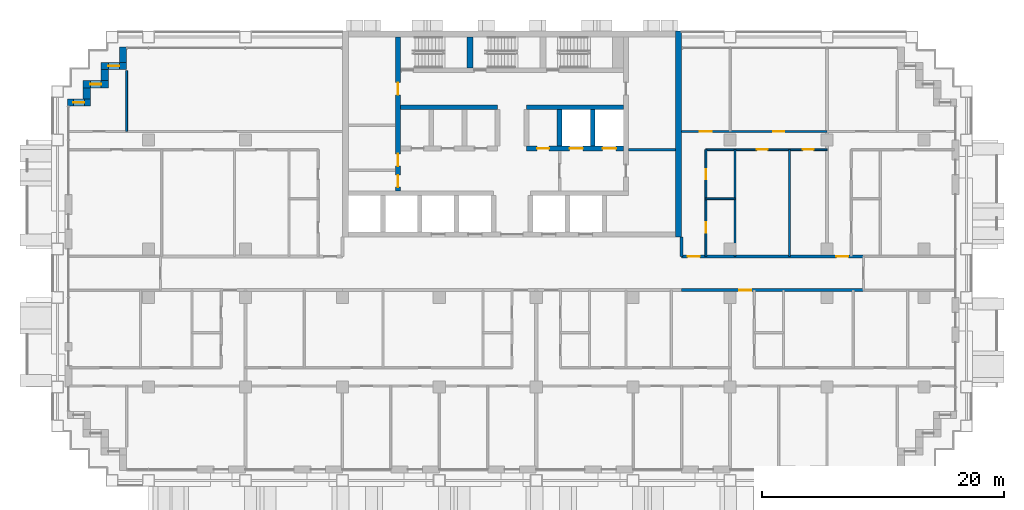
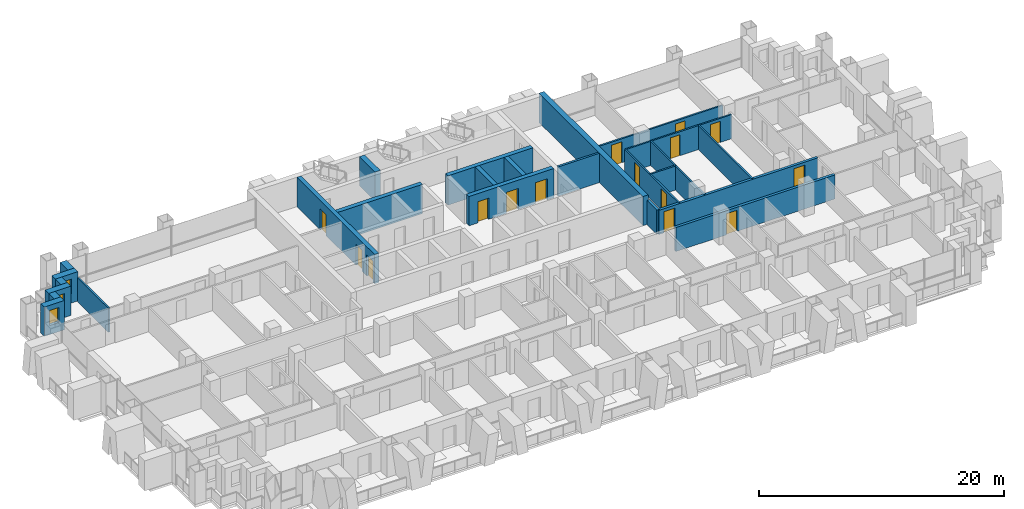
# One storey, part 12 of 18: 25 walls, 15 doors, 3 windows, 18 openings.
"""IFC4 building model written with IfcOpenShell, lengths in metres."""

from ifc_helpers import new_model, si_unit, direction, frame, frame_2d, origin, place, context, subcontext, project, spatial, rectangle, extrude, material, layer, layer_set, type_object, element, fill, save


model = new_model("IFC4")

# Units and contexts
model_context = context("Model", 3, precision=1e-05, world=origin(), true_north=direction((0.0, 1.0)))
body_context = subcontext(model_context, "Body", "Model", "MODEL_VIEW")
ifc_project = project(units=[si_unit("LENGTHUNIT", "METRE"), si_unit("AREAUNIT", "SQUARE_METRE"), si_unit("VOLUMEUNIT", "CUBIC_METRE"), si_unit("PLANEANGLEUNIT", "RADIAN"), si_unit("MASSUNIT", "GRAM", prefix="KILO")], contexts=[model_context])

# Site, building, storey
site_placement = place(None, origin())
site = spatial("IfcSite", under=ifc_project, at=site_placement, CompositionType="ELEMENT")
building_placement = place(site_placement, origin())
building = spatial("IfcBuilding", under=site, at=building_placement, Name="Vidyagriha Tower", CompositionType="ELEMENT")
storey_placement = place(building_placement, frame((0.0, 0.0, 44.800048828125)))
storey = spatial("IfcBuildingStorey", under=building, at=storey_placement, Name="L11", CompositionType="ELEMENT", Elevation=44.800048828125)

# Wall
ifc_material_1 = material(Name="Precast concrete C40/50 with brick facing", Category="concrete")
ifc_layer_1 = layer(ifc_material_1, 0.60009765625)
ifc_layer_set_1 = layer_set([ifc_layer_1], Name="Precast concrete C40/50 with brick facing")
wall_type_1 = type_object("IfcWallType", Name="Brick-faced precast wall 600", PredefinedType="STANDARD", material=ifc_layer_set_1)
wall_1_placement = place(storey_placement, frame((-32.10009765625, 18.679931640625, 0.0), z_axis=(0.0, 0.0, 1.0), x_axis=(0.0, -1.0, 0.0)))
element("IfcWall", 1, at=wall_1_placement, inside=storey, type_object=wall_type_1, Name="Stepped corner wall L11 R10", PredefinedType="STANDARD", context=body_context, shape_type="SweptSolid", body=[
    extrude(rectangle(XDim=1.280029296875, YDim=0.60009765625, at=frame_2d((0.64013671875, 0.0))), origin(), (0.0, 0.0, 1.0), 2.919921875),
])

# Wall, opening, window
wall_2_placement = place(storey_placement, frame((-31.800048828125, 17.10009765625, 0.0), z_axis=(0.0, 0.0, 1.0), x_axis=(-1.0, 0.0, 0.0)))
wall_2 = element("IfcWall", 2, at=wall_2_placement, inside=storey, type_object=wall_type_1, Name="Stepped corner wall L11 R11", PredefinedType="STANDARD", context=body_context, shape_type="SweptSolid", body=[
    extrude(rectangle(XDim=2.099853515625, YDim=0.60009765625, at=frame_2d((1.0498046875, 0.0))), origin(), (0.0, 0.0, 1.0), 2.919921875),
])
opening_1_placement = place(wall_2_placement, frame((0.60009765625, 0.0, 0.89990234375)))
opening_1 = element("IfcOpeningElement", 3, at=opening_1_placement, cuts=wall_2, Name="Opening WN1", PredefinedType="OPENING", context=body_context, shape_type="SweptSolid", body=[
    extrude(rectangle(XDim=0.89990234375, YDim=1.5, at=frame_2d((0.449951171875, 0.75))), frame((0.0, 0.31005859375, 0.0), z_axis=(0.0, -1.0, 0.0), x_axis=(1.0, 0.0, 0.0)), (0.0, 0.0, 1.0), 0.6201171875),
])
ifc_material_2 = material(Name="Aluminium and glass window", Category="aluminium")
window_type = type_object("IfcWindowType", Name="Reveal window 900x1500", PartitioningType="NOTDEFINED", PredefinedType="WINDOW", material=ifc_material_2)
window_1_placement = place(opening_1_placement, origin())
window_1 = element("IfcWindow", 4, at=window_1_placement, inside=storey, type_object=window_type, Name="Reveal window L11 R11", OverallHeight=1.5, OverallWidth=0.89990234375, PartitioningType="SINGLE_PANEL", PredefinedType="WINDOW", context=body_context, shape_type="SweptSolid", body=[
    extrude(rectangle(XDim=0.89990234375, YDim=1.5, at=frame_2d((0.449951171875, 0.75))), frame((0.0, 0.030029296875, 0.0), z_axis=(0.0, -1.0, 0.0), x_axis=(1.0, 0.0, 0.0)), (0.0, 0.0, 1.0), 0.06005859375),
])
fill(opening_1, window_1)

# Wall
wall_3_placement = place(storey_placement, frame((-33.60009765625, 16.800048828125, 0.0), z_axis=(0.0, 0.0, 1.0), x_axis=(0.0, -1.0, 0.0)))
element("IfcWall", 5, at=wall_3_placement, inside=storey, type_object=wall_type_1, Name="Stepped corner wall L11 R12", PredefinedType="STANDARD", context=body_context, shape_type="SweptSolid", body=[
    extrude(rectangle(XDim=0.900146484375, YDim=0.60009765625, at=frame_2d((0.4501953125, 0.0))), origin(), (0.0, 0.0, 1.0), 2.919921875),
])

# Wall, opening, window
wall_4_placement = place(storey_placement, frame((-33.300048828125, 15.60009765625, 0.0), z_axis=(0.0, 0.0, 1.0), x_axis=(-1.0, 0.0, 0.0)))
wall_4 = element("IfcWall", 6, at=wall_4_placement, inside=storey, type_object=wall_type_1, Name="Stepped corner wall L11 R13", PredefinedType="STANDARD", context=body_context, shape_type="SweptSolid", body=[
    extrude(rectangle(XDim=2.099853515625, YDim=0.60009765625, at=frame_2d((1.0498046875, 0.0))), origin(), (0.0, 0.0, 1.0), 2.919921875),
])
opening_2_placement = place(wall_4_placement, frame((0.60009765625, 0.0, 0.89990234375)))
opening_2 = element("IfcOpeningElement", 7, at=opening_2_placement, cuts=wall_4, Name="Opening WN1", PredefinedType="OPENING", context=body_context, shape_type="SweptSolid", body=[
    extrude(rectangle(XDim=0.89990234375, YDim=1.5, at=frame_2d((0.449951171875, 0.75))), frame((0.0, 0.31005859375, 0.0), z_axis=(0.0, -1.0, 0.0), x_axis=(1.0, 0.0, 0.0)), (0.0, 0.0, 1.0), 0.6201171875),
])
window_2_placement = place(opening_2_placement, origin())
window_2 = element("IfcWindow", 8, at=window_2_placement, inside=storey, type_object=window_type, Name="Reveal window L11 R13", OverallHeight=1.5, OverallWidth=0.89990234375, PartitioningType="SINGLE_PANEL", PredefinedType="WINDOW", context=body_context, shape_type="SweptSolid", body=[
    extrude(rectangle(XDim=0.89990234375, YDim=1.5, at=frame_2d((0.449951171875, 0.75))), frame((0.0, 0.030029296875, 0.0), z_axis=(0.0, -1.0, 0.0), x_axis=(1.0, 0.0, 0.0)), (0.0, 0.0, 1.0), 0.06005859375),
])
fill(opening_2, window_2)

# Wall
wall_5_placement = place(storey_placement, frame((-35.10009765625, 15.300048828125, 0.0), z_axis=(0.0, 0.0, 1.0), x_axis=(0.0, -1.0, 0.0)))
element("IfcWall", 9, at=wall_5_placement, inside=storey, type_object=wall_type_1, Name="Stepped corner wall L11 R14", PredefinedType="STANDARD", context=body_context, shape_type="SweptSolid", body=[
    extrude(rectangle(XDim=0.900146484375, YDim=0.60009765625, at=frame_2d((0.4501953125, 0.0))), origin(), (0.0, 0.0, 1.0), 2.919921875),
])

# Wall, opening, window
wall_6_placement = place(storey_placement, frame((-34.800048828125, 14.10009765625, 0.0), z_axis=(0.0, 0.0, 1.0), x_axis=(-1.0, 0.0, 0.0)))
wall_6 = element("IfcWall", 10, at=wall_6_placement, inside=storey, type_object=wall_type_1, Name="Stepped corner wall L11 R15", PredefinedType="STANDARD", context=body_context, shape_type="SweptSolid", body=[
    extrude(rectangle(XDim=1.8798828125, YDim=0.60009765625, at=frame_2d((0.93994140625, 0.0))), origin(), (0.0, 0.0, 1.0), 2.919921875),
])
opening_3_placement = place(wall_6_placement, frame((0.489990234375, 0.0, 0.89990234375)))
opening_3 = element("IfcOpeningElement", 11, at=opening_3_placement, cuts=wall_6, Name="Opening WN1", PredefinedType="OPENING", context=body_context, shape_type="SweptSolid", body=[
    extrude(rectangle(XDim=0.89990234375, YDim=1.5, at=frame_2d((0.449951171875, 0.75))), frame((0.0, 0.31005859375, 0.0), z_axis=(0.0, -1.0, 0.0), x_axis=(1.0, 0.0, 0.0)), (0.0, 0.0, 1.0), 0.6201171875),
])
window_3_placement = place(opening_3_placement, origin())
window_3 = element("IfcWindow", 12, at=window_3_placement, inside=storey, type_object=window_type, Name="Reveal window L11 R15", OverallHeight=1.5, OverallWidth=0.89990234375, PartitioningType="SINGLE_PANEL", PredefinedType="WINDOW", context=body_context, shape_type="SweptSolid", body=[
    extrude(rectangle(XDim=0.89990234375, YDim=1.5, at=frame_2d((0.449951171875, 0.75))), frame((0.0, 0.030029296875, 0.0), z_axis=(0.0, -1.0, 0.0), x_axis=(1.0, 0.0, 0.0)), (0.0, 0.0, 1.0), 0.06005859375),
])
fill(opening_3, window_3)

# Wall, openings, doors
ifc_material_3 = material(Name="Concrete C60/75", Category="concrete")
ifc_layer_2 = layer(ifc_material_3, 0.39990234375)
ifc_layer_set_2 = layer_set([ifc_layer_2], Name="Concrete C60/75")
wall_type_2 = type_object("IfcWallType", Name="Core shear wall 400 mm", PredefinedType="SHEAR", material=ifc_layer_set_2)
wall_7_placement = place(storey_placement, frame((-9.39990234375, 6.800048828125, 0.0), z_axis=(0.0, 0.0, 1.0), x_axis=(0.0, 1.0, 0.0)))
wall_7 = element("IfcWall", 13, at=wall_7_placement, inside=storey, type_object=wall_type_2, Name="Core west spine wall", PredefinedType="SHEAR", context=body_context, shape_type="SweptSolid", body=[
    extrude(rectangle(XDim=12.699951171875, YDim=0.39990234375, at=frame_2d((6.35009765625, 0.0))), origin(), (0.0, 0.0, 1.0), 2.919921875),
])
opening_4_placement = place(wall_7_placement, frame((0.300048828125, 0.0, 0.0)))
opening_4 = element("IfcOpeningElement", 14, at=opening_4_placement, cuts=wall_7, Name="Opening D11-10", PredefinedType="OPENING", context=body_context, shape_type="SweptSolid", body=[
    extrude(rectangle(XDim=1.0, YDim=2.10009765625, at=frame_2d((0.5, 1.050048828125))), frame((0.0, 0.2099609375, 0.0), z_axis=(0.0, -1.0, 0.0), x_axis=(1.0, 0.0, 0.0)), (0.0, 0.0, 1.0), 0.419921875),
])
opening_5_placement = place(wall_7_placement, frame((2.050048828125, 0.0, 0.0)))
opening_5 = element("IfcOpeningElement", 15, at=opening_5_placement, cuts=wall_7, Name="Opening D11-11", PredefinedType="OPENING", context=body_context, shape_type="SweptSolid", body=[
    extrude(rectangle(XDim=1.0, YDim=2.10009765625, at=frame_2d((0.5, 1.050048828125))), frame((0.0, 0.2099609375, 0.0), z_axis=(0.0, -1.0, 0.0), x_axis=(1.0, 0.0, 0.0)), (0.0, 0.0, 1.0), 0.419921875),
])
opening_6_placement = place(wall_7_placement, frame((7.925048828125, 0.0, 0.0)))
opening_6 = element("IfcOpeningElement", 16, at=opening_6_placement, cuts=wall_7, Name="Opening D11-12", PredefinedType="OPENING", context=body_context, shape_type="SweptSolid", body=[
    extrude(rectangle(XDim=1.0, YDim=2.10009765625, at=frame_2d((0.5, 1.050048828125))), frame((0.0, 0.2099609375, 0.0), z_axis=(0.0, -1.0, 0.0), x_axis=(1.0, 0.0, 0.0)), (0.0, 0.0, 1.0), 0.419921875),
])
ifc_material_4 = material(Name="Hollow metal door leaf")
door_type_1 = type_object("IfcDoorType", Name="Core room door 1000 x 2100 mm EI 60", OperationType="NOTDEFINED", PredefinedType="DOOR", material=ifc_material_4)
door_1_placement = place(opening_4_placement, frame((1.0, 0.0, 0.0), z_axis=(0.0, 0.0, 1.0), x_axis=(-1.0, 0.0, 0.0)))
door_1 = element("IfcDoor", 17, at=door_1_placement, inside=storey, type_object=door_type_1, Name="Door Pressurisation Plant Room 11.W1", OperationType="SINGLE_SWING_RIGHT", OverallHeight=2.10009765625, OverallWidth=1.0, PredefinedType="DOOR", context=body_context, shape_type="SweptSolid", body=[
    extrude(rectangle(XDim=1.0, YDim=2.10009765625, at=frame_2d((0.5, 1.050048828125))), frame((0.0, 0.02490234375, 0.0), z_axis=(0.0, -1.0, 0.0), x_axis=(1.0, 0.0, 0.0)), (0.0, 0.0, 1.0), 0.050048828125),
])
fill(opening_4, door_1)
door_2_placement = place(opening_5_placement, frame((1.0, 0.0, 0.0), z_axis=(0.0, 0.0, 1.0), x_axis=(-1.0, 0.0, 0.0)))
door_2 = element("IfcDoor", 18, at=door_2_placement, inside=storey, type_object=door_type_1, Name="Door Switchgear Room 11.W2", OperationType="SINGLE_SWING_LEFT", OverallHeight=2.10009765625, OverallWidth=1.0, PredefinedType="DOOR", context=body_context, shape_type="SweptSolid", body=[
    extrude(rectangle(XDim=1.0, YDim=2.10009765625, at=frame_2d((0.5, 1.050048828125))), frame((0.0, 0.02490234375, 0.0), z_axis=(0.0, -1.0, 0.0), x_axis=(1.0, 0.0, 0.0)), (0.0, 0.0, 1.0), 0.050048828125),
])
fill(opening_5, door_2)
door_3_placement = place(opening_6_placement, frame((1.0, 0.0, 0.0), z_axis=(0.0, 0.0, 1.0), x_axis=(-1.0, 0.0, 0.0)))
door_3 = element("IfcDoor", 19, at=door_3_placement, inside=storey, type_object=door_type_1, Name="Door Communications Room 11.W3", OperationType="SINGLE_SWING_LEFT", OverallHeight=2.10009765625, OverallWidth=1.0, PredefinedType="DOOR", context=body_context, shape_type="SweptSolid", body=[
    extrude(rectangle(XDim=1.0, YDim=2.10009765625, at=frame_2d((0.5, 1.050048828125))), frame((0.0, 0.02490234375, 0.0), z_axis=(0.0, -1.0, 0.0), x_axis=(1.0, 0.0, 0.0)), (0.0, 0.0, 1.0), 0.050048828125),
])
fill(opening_6, door_3)

# Wall
wall_8_placement = place(storey_placement, frame((-9.199951171875, 13.699951171875, 0.0)))
element("IfcWall", 20, at=wall_8_placement, inside=storey, type_object=wall_type_2, Name="Core row N rear wall", PredefinedType="SHEAR", context=body_context, shape_type="SweptSolid", body=[
    extrude(rectangle(XDim=8.0, YDim=0.39990234375, at=frame_2d((4.0, 0.0))), origin(), (0.0, 0.0, 1.0), 2.919921875),
])

# Wall, openings, doors
wall_9_placement = place(storey_placement, frame((1.199951171875, 10.300048828125, 0.0)))
wall_9 = element("IfcWall", 21, at=wall_9_placement, inside=storey, type_object=wall_type_2, Name="Core row N front wall", PredefinedType="SHEAR", context=body_context, shape_type="SweptSolid", body=[
    extrude(rectangle(XDim=8.0, YDim=0.39990234375, at=frame_2d((4.0, 0.0))), origin(), (0.0, 0.0, 1.0), 2.919921875),
])
opening_7_placement = place(wall_9_placement, frame((3.550048828125, 0.0, 0.0)))
opening_7 = element("IfcOpeningElement", 22, at=opening_7_placement, cuts=wall_9, Name="Opening LD11-05", PredefinedType="OPENING", context=body_context, shape_type="SweptSolid", body=[
    extrude(rectangle(XDim=1.10009765625, YDim=2.10009765625, at=frame_2d((0.550048828125, 1.050048828125))), frame((0.0, 0.2099609375, 0.0), z_axis=(0.0, -1.0, 0.0), x_axis=(1.0, 0.0, 0.0)), (0.0, 0.0, 1.0), 0.419921875),
])
opening_8_placement = place(wall_9_placement, frame((6.283203125, 0.0, 0.0)))
opening_8 = element("IfcOpeningElement", 23, at=opening_8_placement, cuts=wall_9, Name="Opening LD11-06", PredefinedType="OPENING", context=body_context, shape_type="SweptSolid", body=[
    extrude(rectangle(XDim=1.10009765625, YDim=2.10009765625, at=frame_2d((0.550048828125, 1.050048828125))), frame((0.0, 0.2099609375, 0.0), z_axis=(0.0, -1.0, 0.0), x_axis=(1.0, 0.0, 0.0)), (0.0, 0.0, 1.0), 0.419921875),
])
opening_9_placement = place(wall_9_placement, frame((0.86669921875, 0.0, 0.0)))
opening_9 = element("IfcOpeningElement", 24, at=opening_9_placement, cuts=wall_9, Name="Opening D11-05", PredefinedType="OPENING", context=body_context, shape_type="SweptSolid", body=[
    extrude(rectangle(XDim=1.0, YDim=2.10009765625, at=frame_2d((0.5, 1.050048828125))), frame((0.0, 0.2099609375, 0.0), z_axis=(0.0, -1.0, 0.0), x_axis=(1.0, 0.0, 0.0)), (0.0, 0.0, 1.0), 0.419921875),
])
door_4_placement = place(opening_9_placement, frame((1.0, 0.0, 0.0), z_axis=(0.0, 0.0, 1.0), x_axis=(-1.0, 0.0, 0.0)))
door_4 = element("IfcDoor", 25, at=door_4_placement, inside=storey, type_object=door_type_1, Name="Door Switchgear Room 11.17", OperationType="SINGLE_SWING_LEFT", OverallHeight=2.10009765625, OverallWidth=1.0, PredefinedType="DOOR", context=body_context, shape_type="SweptSolid", body=[
    extrude(rectangle(XDim=1.0, YDim=2.10009765625, at=frame_2d((0.5, 1.050048828125))), frame((0.0, 0.02490234375, 0.0), z_axis=(0.0, -1.0, 0.0), x_axis=(1.0, 0.0, 0.0)), (0.0, 0.0, 1.0), 0.050048828125),
])
fill(opening_9, door_4)
ifc_material_5 = material(Name="Stainless steel sliding door panel", Category="steel")
door_type_2 = type_object("IfcDoorType", Name="Lift landing door 1100 x 2100 mm EI 90", OperationType="NOTDEFINED", PredefinedType="DOOR", material=ifc_material_5)
door_5_placement = place(opening_7_placement, origin())
door_5 = element("IfcDoor", 26, at=door_5_placement, inside=storey, type_object=door_type_2, Name="Landing door FF1 L11", OperationType="SLIDING_TO_LEFT", OverallHeight=2.10009765625, OverallWidth=1.10009765625, PredefinedType="DOOR", context=body_context, shape_type="SweptSolid", body=[
    extrude(rectangle(XDim=1.10009765625, YDim=2.10009765625, at=frame_2d((0.550048828125, 1.050048828125))), frame((0.0, 0.02490234375, 0.0), z_axis=(0.0, -1.0, 0.0), x_axis=(1.0, 0.0, 0.0)), (0.0, 0.0, 1.0), 0.050048828125),
])
fill(opening_7, door_5)
door_6_placement = place(opening_8_placement, origin())
door_6 = element("IfcDoor", 27, at=door_6_placement, inside=storey, type_object=door_type_2, Name="Landing door FF2 L11", OperationType="SLIDING_TO_LEFT", OverallHeight=2.10009765625, OverallWidth=1.10009765625, PredefinedType="DOOR", context=body_context, shape_type="SweptSolid", body=[
    extrude(rectangle(XDim=1.10009765625, YDim=2.10009765625, at=frame_2d((0.550048828125, 1.050048828125))), frame((0.0, 0.02490234375, 0.0), z_axis=(0.0, -1.0, 0.0), x_axis=(1.0, 0.0, 0.0)), (0.0, 0.0, 1.0), 0.050048828125),
])
fill(opening_8, door_6)

# Walls
wall_10_placement = place(storey_placement, frame((1.199951171875, 13.699951171875, 0.0)))
element("IfcWall", 28, at=wall_10_placement, inside=storey, type_object=wall_type_2, Name="Core row N rear wall", PredefinedType="SHEAR", context=body_context, shape_type="SweptSolid", body=[
    extrude(rectangle(XDim=8.0, YDim=0.39990234375, at=frame_2d((4.0, 0.0))), origin(), (0.0, 0.0, 1.0), 2.919921875),
])
for number, where, z_axis, x_axis, name in (
    (29, (3.933349609375, 10.5, 0.0), (0.0, 0.0, 1.0), (0.0, 1.0, 0.0), "Core bay wall N5"),
    (30, (6.666748046875, 10.5, 0.0), (0.0, 0.0, 1.0), (0.0, 1.0, 0.0), "Core bay wall N6"),
):
    element("IfcWall", number, at=place(storey_placement, frame(where, z_axis=z_axis, x_axis=x_axis)), inside=storey, type_object=wall_type_2, Name=name, PredefinedType="SHEAR", context=body_context, shape_type="SweptSolid", body=[
        extrude(rectangle(XDim=3.0, YDim=0.39990234375, at=frame_2d((1.5, 0.0))), origin(), (0.0, 0.0, 1.0), 2.919921875),
    ])
ifc_material_6 = material(Name="Concrete C60/75", Category="concrete")
ifc_layer_3 = layer(ifc_material_6, 0.5)
ifc_layer_set_3 = layer_set([ifc_layer_3], Name="Concrete C60/75")
wall_type_3 = type_object("IfcWallType", Name="Core shear wall 500 mm", PredefinedType="SHEAR", material=ifc_layer_set_3)
wall_11_placement = place(storey_placement, frame((13.75, 3.0, 0.0), z_axis=(0.0, 0.0, 1.0), x_axis=(0.0, 1.0, 0.0)))
element("IfcWall", 31, at=wall_11_placement, inside=storey, type_object=wall_type_3, Name="Core east wall", PredefinedType="SHEAR", context=body_context, shape_type="SweptSolid", body=[
    extrude(rectangle(XDim=17.0, YDim=0.5, at=frame_2d((8.5, 0.0))), origin(), (0.0, 0.0, 1.0), 2.919921875),
])
wall_12_placement = place(storey_placement, frame((-3.449951171875, 16.949951171875, 0.0), z_axis=(0.0, 0.0, 1.0), x_axis=(0.0, 1.0, 0.0)))
element("IfcWall", 32, at=wall_12_placement, inside=storey, type_object=wall_type_3, Name="Stair partition wall 1", PredefinedType="SHEAR", context=body_context, shape_type="SweptSolid", body=[
    extrude(rectangle(XDim=2.550048828125, YDim=0.5, at=frame_2d((1.27490234375, 0.0))), origin(), (0.0, 0.0, 1.0), 2.919921875),
])

# Wall, opening, door
ifc_material_7 = material(Name="Fired clay brick masonry", Category="masonry")
ifc_layer_4 = layer(ifc_material_7, 0.25)
ifc_layer_set_4 = layer_set([ifc_layer_4], Name="Fired clay brick masonry")
wall_type_4 = type_object("IfcWallType", Name="Fired clay brick corridor wall 250", PredefinedType="PARTITIONING", material=ifc_layer_set_4)
wall_13_placement = place(storey_placement, frame((29.0, -1.39990234375, 0.0), z_axis=(0.0, 0.0, 1.0), x_axis=(-1.0, 0.0, 0.0)))
wall_13 = element("IfcWall", 33, at=wall_13_placement, inside=storey, type_object=wall_type_4, Name="Wall all-L11-w080", PredefinedType="PARTITIONING", context=body_context, shape_type="SweptSolid", body=[
    extrude(rectangle(XDim=15.0, YDim=0.25, at=frame_2d((7.5, 0.0))), origin(), (0.0, 0.0, 1.0), 2.39990234375),
])
opening_10_placement = place(wall_13_placement, frame((9.239990234375, 0.0, 0.0)))
opening_10 = element("IfcOpeningElement", 34, at=opening_10_placement, cuts=wall_13, Name="Opening D11-51", PredefinedType="OPENING", context=body_context, shape_type="SweptSolid", body=[
    extrude(rectangle(XDim=1.0, YDim=2.10009765625, at=frame_2d((0.5, 1.050048828125))), frame((0.0, 0.135009765625, 0.0), z_axis=(0.0, -1.0, 0.0), x_axis=(1.0, 0.0, 0.0)), (0.0, 0.0, 1.0), 0.27001953125),
])
ifc_material_8 = material(Name="Fire-rated timber door leaf EI 60", Category="wood")
door_type_3 = type_object("IfcDoorType", Name="Flat entrance fire door 1000x2100", OperationType="NOTDEFINED", PredefinedType="DOOR", material=ifc_material_8)
door_7_placement = place(opening_10_placement, origin())
door_7 = element("IfcDoor", 35, at=door_7_placement, inside=storey, type_object=door_type_3, Name="Door D11-51", OperationType="SINGLE_SWING_RIGHT", OverallHeight=2.10009765625, OverallWidth=1.0, PredefinedType="DOOR", context=body_context, shape_type="SweptSolid", body=[
    extrude(rectangle(XDim=1.0, YDim=2.10009765625, at=frame_2d((0.5, 1.050048828125))), frame((0.0, 0.02490234375, 0.0), z_axis=(0.0, -1.0, 0.0), x_axis=(1.0, 0.0, 0.0)), (0.0, 0.0, 1.0), 0.050048828125),
])
fill(opening_10, door_7)

# Wall, openings, doors
wall_14_placement = place(storey_placement, frame((14.0, 1.39990234375, 0.0)))
wall_14 = element("IfcWall", 36, at=wall_14_placement, inside=storey, type_object=wall_type_4, Name="Wall all-L11-w127", PredefinedType="PARTITIONING", context=body_context, shape_type="SweptSolid", body=[
    extrude(rectangle(XDim=15.0, YDim=0.25, at=frame_2d((7.5, 0.0))), origin(), (0.0, 0.0, 1.0), 2.39990234375),
])
opening_11_placement = place(wall_14_placement, frame((0.5, 0.0, 0.0)))
opening_11 = element("IfcOpeningElement", 37, at=opening_11_placement, cuts=wall_14, Name="Opening D11-66", PredefinedType="OPENING", context=body_context, shape_type="SweptSolid", body=[
    extrude(rectangle(XDim=1.0, YDim=2.10009765625, at=frame_2d((0.5, 1.050048828125))), frame((0.0, 0.135009765625, 0.0), z_axis=(0.0, -1.0, 0.0), x_axis=(1.0, 0.0, 0.0)), (0.0, 0.0, 1.0), 0.27001953125),
])
opening_12_placement = place(wall_14_placement, frame((12.760009765625, 0.0, 0.0)))
opening_12 = element("IfcOpeningElement", 38, at=opening_12_placement, cuts=wall_14, Name="Opening D11-72", PredefinedType="OPENING", context=body_context, shape_type="SweptSolid", body=[
    extrude(rectangle(XDim=1.0, YDim=2.10009765625, at=frame_2d((0.5, 1.050048828125))), frame((0.0, 0.135009765625, 0.0), z_axis=(0.0, -1.0, 0.0), x_axis=(1.0, 0.0, 0.0)), (0.0, 0.0, 1.0), 0.27001953125),
])
door_8_placement = place(opening_11_placement, origin())
door_8 = element("IfcDoor", 39, at=door_8_placement, inside=storey, type_object=door_type_3, Name="Door D11-66", OperationType="SINGLE_SWING_LEFT", OverallHeight=2.10009765625, OverallWidth=1.0, PredefinedType="DOOR", context=body_context, shape_type="SweptSolid", body=[
    extrude(rectangle(XDim=1.0, YDim=2.10009765625, at=frame_2d((0.5, 1.050048828125))), frame((0.0, 0.02490234375, 0.0), z_axis=(0.0, -1.0, 0.0), x_axis=(1.0, 0.0, 0.0)), (0.0, 0.0, 1.0), 0.050048828125),
])
fill(opening_11, door_8)
door_9_placement = place(opening_12_placement, origin())
door_9 = element("IfcDoor", 40, at=door_9_placement, inside=storey, type_object=door_type_3, Name="Door D11-72", OperationType="SINGLE_SWING_LEFT", OverallHeight=2.10009765625, OverallWidth=1.0, PredefinedType="DOOR", context=body_context, shape_type="SweptSolid", body=[
    extrude(rectangle(XDim=1.0, YDim=2.10009765625, at=frame_2d((0.5, 1.050048828125))), frame((0.0, 0.02490234375, 0.0), z_axis=(0.0, -1.0, 0.0), x_axis=(1.0, 0.0, 0.0)), (0.0, 0.0, 1.0), 0.050048828125),
])
fill(opening_12, door_9)

# Walls
wall_15_placement = place(storey_placement, frame((14.0, 1.39990234375, 0.0), z_axis=(0.0, 0.0, 1.0), x_axis=(0.0, 1.0, 0.0)))
element("IfcWall", 41, at=wall_15_placement, inside=storey, type_object=wall_type_4, Name="Wall all-L11-w135", PredefinedType="PARTITIONING", context=body_context, shape_type="SweptSolid", body=[
    extrude(rectangle(XDim=1.60009765625, YDim=0.25, at=frame_2d((0.800048828125, 0.0))), origin(), (0.0, 0.0, 1.0), 2.39990234375),
])
ifc_material_9 = material(Name="Gypsum board partition")
ifc_layer_5 = layer(ifc_material_9, 0.14990234375)
ifc_layer_set_5 = layer_set([ifc_layer_5], Name="Gypsum board partition")
wall_type_5 = type_object("IfcWallType", Name="Gypsum board partition 150", PredefinedType="PARTITIONING", material=ifc_layer_set_5)
wall_16_placement = place(storey_placement, frame((-31.800048828125, 16.719970703125, 0.0), z_axis=(0.0, 0.0, 1.0), x_axis=(0.0, -1.0, 0.0)))
element("IfcWall", 42, at=wall_16_placement, inside=storey, type_object=wall_type_5, Name="Wall all-L11-w096", PredefinedType="PARTITIONING", context=body_context, shape_type="SweptSolid", body=[
    extrude(rectangle(XDim=5.02001953125, YDim=0.14990234375, at=frame_2d((2.510009765625, 0.0))), origin(), (0.0, 0.0, 1.0), 2.39990234375),
])
wall_17_placement = place(storey_placement, frame((16.0, 6.14990234375, 0.0)))
element("IfcWall", 43, at=wall_17_placement, inside=storey, type_object=wall_type_5, Name="Wall all-L11-w103", PredefinedType="PARTITIONING", context=body_context, shape_type="SweptSolid", body=[
    extrude(rectangle(XDim=2.39990234375, YDim=0.14990234375, at=frame_2d((1.199951171875, 0.0))), origin(), (0.0, 0.0, 1.0), 2.39990234375),
])
for number, where, z_axis, x_axis, name in (
    (44, (18.39990234375, 10.199951171875, 0.0), (0.0, 0.0, 1.0), (0.0, -1.0, 0.0), "Wall all-L11-w104"),
    (45, (22.89990234375, 10.199951171875, 0.0), (0.0, 0.0, 1.0), (0.0, -1.0, 0.0), "Wall all-L11-w105"),
):
    element("IfcWall", number, at=place(storey_placement, frame(where, z_axis=z_axis, x_axis=x_axis)), inside=storey, type_object=wall_type_5, Name=name, PredefinedType="PARTITIONING", context=body_context, shape_type="SweptSolid", body=[
        extrude(rectangle(XDim=8.800048828125, YDim=0.14990234375, at=frame_2d((4.39990234375, 0.0))), origin(), (0.0, 0.0, 1.0), 2.39990234375),
    ])

# Wall, openings, doors
wall_18_placement = place(storey_placement, frame((26.0, 10.199951171875, 0.0), z_axis=(0.0, 0.0, 1.0), x_axis=(-1.0, 0.0, 0.0)))
wall_18 = element("IfcWall", 46, at=wall_18_placement, inside=storey, type_object=wall_type_5, Name="Wall all-L11-w106", PredefinedType="PARTITIONING", context=body_context, shape_type="SweptSolid", body=[
    extrude(rectangle(XDim=10.0, YDim=0.14990234375, at=frame_2d((5.0, 0.0))), origin(), (0.0, 0.0, 1.0), 2.39990234375),
])
opening_13_placement = place(wall_18_placement, frame((4.89990234375, 0.0, 0.0)))
opening_13 = element("IfcOpeningElement", 47, at=opening_13_placement, cuts=wall_18, Name="Opening D11-62", PredefinedType="OPENING", context=body_context, shape_type="SweptSolid", body=[
    extrude(rectangle(XDim=0.89990234375, YDim=2.10009765625, at=frame_2d((0.449951171875, 1.050048828125))), frame((0.0, 0.0849609375, 0.0), z_axis=(0.0, -1.0, 0.0), x_axis=(1.0, 0.0, 0.0)), (0.0, 0.0, 1.0), 0.169921875),
])
opening_14_placement = place(wall_18_placement, frame((1.10009765625, 0.0, 0.0)))
opening_14 = element("IfcOpeningElement", 48, at=opening_14_placement, cuts=wall_18, Name="Opening D11-63", PredefinedType="OPENING", context=body_context, shape_type="SweptSolid", body=[
    extrude(rectangle(XDim=0.89990234375, YDim=2.10009765625, at=frame_2d((0.449951171875, 1.050048828125))), frame((0.0, 0.0849609375, 0.0), z_axis=(0.0, -1.0, 0.0), x_axis=(1.0, 0.0, 0.0)), (0.0, 0.0, 1.0), 0.169921875),
])
ifc_material_10 = material(Name="Timber door leaf", Category="wood")
door_type_4 = type_object("IfcDoorType", Name="Room door 900x2100", OperationType="NOTDEFINED", PredefinedType="DOOR", material=ifc_material_10)
door_10_placement = place(opening_13_placement, origin())
door_10 = element("IfcDoor", 49, at=door_10_placement, inside=storey, type_object=door_type_4, Name="Door D11-62", OperationType="SINGLE_SWING_RIGHT", OverallHeight=2.10009765625, OverallWidth=0.89990234375, PredefinedType="DOOR", context=body_context, shape_type="SweptSolid", body=[
    extrude(rectangle(XDim=0.89990234375, YDim=2.10009765625, at=frame_2d((0.449951171875, 1.050048828125))), frame((0.0, 0.02490234375, 0.0), z_axis=(0.0, -1.0, 0.0), x_axis=(1.0, 0.0, 0.0)), (0.0, 0.0, 1.0), 0.050048828125),
])
fill(opening_13, door_10)
door_11_placement = place(opening_14_placement, origin())
door_11 = element("IfcDoor", 50, at=door_11_placement, inside=storey, type_object=door_type_4, Name="Door D11-63", OperationType="SINGLE_SWING_RIGHT", OverallHeight=2.10009765625, OverallWidth=0.89990234375, PredefinedType="DOOR", context=body_context, shape_type="SweptSolid", body=[
    extrude(rectangle(XDim=0.89990234375, YDim=2.10009765625, at=frame_2d((0.449951171875, 1.050048828125))), frame((0.0, 0.02490234375, 0.0), z_axis=(0.0, -1.0, 0.0), x_axis=(1.0, 0.0, 0.0)), (0.0, 0.0, 1.0), 0.050048828125),
])
fill(opening_14, door_11)

wall_19_placement = place(storey_placement, frame((14.0, 11.699951171875, 0.0)))
wall_19 = element("IfcWall", 51, at=wall_19_placement, inside=storey, type_object=wall_type_5, Name="Wall all-L11-w109", PredefinedType="PARTITIONING", context=body_context, shape_type="SweptSolid", body=[
    extrude(rectangle(XDim=12.0, YDim=0.14990234375, at=frame_2d((6.0, 0.0))), origin(), (0.0, 0.0, 1.0), 2.39990234375),
])
opening_15_placement = place(wall_19_placement, frame((1.5, 0.0, 0.0)))
opening_15 = element("IfcOpeningElement", 52, at=opening_15_placement, cuts=wall_19, Name="Opening D11-64", PredefinedType="OPENING", context=body_context, shape_type="SweptSolid", body=[
    extrude(rectangle(XDim=1.0, YDim=2.10009765625, at=frame_2d((0.5, 1.050048828125))), frame((0.0, 0.0849609375, 0.0), z_axis=(0.0, -1.0, 0.0), x_axis=(1.0, 0.0, 0.0)), (0.0, 0.0, 1.0), 0.169921875),
])
opening_16_placement = place(wall_19_placement, frame((7.550048828125, 0.0, 0.0)))
opening_16 = element("IfcOpeningElement", 53, at=opening_16_placement, cuts=wall_19, Name="Opening D11-65", PredefinedType="OPENING", context=body_context, shape_type="SweptSolid", body=[
    extrude(rectangle(XDim=0.89990234375, YDim=2.10009765625, at=frame_2d((0.449951171875, 1.050048828125))), frame((0.0, 0.0849609375, 0.0), z_axis=(0.0, -1.0, 0.0), x_axis=(1.0, 0.0, 0.0)), (0.0, 0.0, 1.0), 0.169921875),
])
ifc_material_11 = material(Name="Timber door leaf", Category="wood")
door_type_5 = type_object("IfcDoorType", Name="Room door 1000x2100", OperationType="NOTDEFINED", PredefinedType="DOOR", material=ifc_material_11)
door_12_placement = place(opening_15_placement, origin())
door_12 = element("IfcDoor", 54, at=door_12_placement, inside=storey, type_object=door_type_5, Name="Door D11-64", OperationType="SINGLE_SWING_RIGHT", OverallHeight=2.10009765625, OverallWidth=1.0, PredefinedType="DOOR", context=body_context, shape_type="SweptSolid", body=[
    extrude(rectangle(XDim=1.0, YDim=2.10009765625, at=frame_2d((0.5, 1.050048828125))), frame((0.0, 0.02490234375, 0.0), z_axis=(0.0, -1.0, 0.0), x_axis=(1.0, 0.0, 0.0)), (0.0, 0.0, 1.0), 0.050048828125),
])
fill(opening_15, door_12)
door_13_placement = place(opening_16_placement, origin())
door_13 = element("IfcDoor", 55, at=door_13_placement, inside=storey, type_object=door_type_4, Name="Door D11-65", OperationType="SINGLE_SWING_RIGHT", OverallHeight=2.10009765625, OverallWidth=0.89990234375, PredefinedType="DOOR", context=body_context, shape_type="SweptSolid", body=[
    extrude(rectangle(XDim=0.89990234375, YDim=2.10009765625, at=frame_2d((0.449951171875, 1.050048828125))), frame((0.0, 0.02490234375, 0.0), z_axis=(0.0, -1.0, 0.0), x_axis=(1.0, 0.0, 0.0)), (0.0, 0.0, 1.0), 0.050048828125),
])
fill(opening_16, door_13)

ifc_material_12 = material(Name="Moisture resistant gypsum board partition")
ifc_layer_6 = layer(ifc_material_12, 0.14990234375)
ifc_layer_set_6 = layer_set([ifc_layer_6], Name="Moisture resistant gypsum board partition")
wall_type_6 = type_object("IfcWallType", Name="Gypsum board wet-area partition 150", PredefinedType="PARTITIONING", material=ifc_layer_set_6)
wall_20_placement = place(storey_placement, frame((16.0, 10.199951171875, 0.0), z_axis=(0.0, 0.0, 1.0), x_axis=(0.0, -1.0, 0.0)))
wall_20 = element("IfcWall", 56, at=wall_20_placement, inside=storey, type_object=wall_type_6, Name="Wall all-L11-w100", PredefinedType="PARTITIONING", context=body_context, shape_type="SweptSolid", body=[
    extrude(rectangle(XDim=8.800048828125, YDim=0.14990234375, at=frame_2d((4.39990234375, 0.0))), origin(), (0.0, 0.0, 1.0), 2.39990234375),
])
opening_17_placement = place(wall_20_placement, frame((5.97509765625, 0.0, 0.0)))
opening_17 = element("IfcOpeningElement", 57, at=opening_17_placement, cuts=wall_20, Name="Opening D11-60", PredefinedType="OPENING", context=body_context, shape_type="SweptSolid", body=[
    extrude(rectangle(XDim=0.89990234375, YDim=2.10009765625, at=frame_2d((0.449951171875, 1.050048828125))), frame((0.0, 0.0849609375, 0.0), z_axis=(0.0, -1.0, 0.0), x_axis=(1.0, 0.0, 0.0)), (0.0, 0.0, 1.0), 0.169921875),
])
opening_18_placement = place(wall_20_placement, frame((1.625, 0.0, 0.0)))
opening_18 = element("IfcOpeningElement", 58, at=opening_18_placement, cuts=wall_20, Name="Opening D11-61", PredefinedType="OPENING", context=body_context, shape_type="SweptSolid", body=[
    extrude(rectangle(XDim=0.800048828125, YDim=2.10009765625, at=frame_2d((0.39990234375, 1.050048828125))), frame((0.0, 0.0849609375, 0.0), z_axis=(0.0, -1.0, 0.0), x_axis=(1.0, 0.0, 0.0)), (0.0, 0.0, 1.0), 0.169921875),
])
ifc_material_13 = material(Name="Timber door leaf", Category="wood")
door_type_6 = type_object("IfcDoorType", Name="Bathroom door 800x2100", OperationType="NOTDEFINED", PredefinedType="DOOR", material=ifc_material_13)
door_14_placement = place(opening_18_placement, origin())
door_14 = element("IfcDoor", 59, at=door_14_placement, inside=storey, type_object=door_type_6, Name="Door D11-61", OperationType="SINGLE_SWING_LEFT", OverallHeight=2.10009765625, OverallWidth=0.800048828125, PredefinedType="DOOR", context=body_context, shape_type="SweptSolid", body=[
    extrude(rectangle(XDim=0.800048828125, YDim=2.10009765625, at=frame_2d((0.39990234375, 1.050048828125))), frame((0.0, 0.02490234375, 0.0), z_axis=(0.0, -1.0, 0.0), x_axis=(1.0, 0.0, 0.0)), (0.0, 0.0, 1.0), 0.050048828125),
])
fill(opening_18, door_14)
ifc_material_14 = material(Name="Timber door leaf", Category="wood")
door_type_7 = type_object("IfcDoorType", Name="Kitchen door 900x2100", OperationType="NOTDEFINED", PredefinedType="DOOR", material=ifc_material_14)
door_15_placement = place(opening_17_placement, origin())
door_15 = element("IfcDoor", 60, at=door_15_placement, inside=storey, type_object=door_type_7, Name="Door D11-60", OperationType="SINGLE_SWING_LEFT", OverallHeight=2.10009765625, OverallWidth=0.89990234375, PredefinedType="DOOR", context=body_context, shape_type="SweptSolid", body=[
    extrude(rectangle(XDim=0.89990234375, YDim=2.10009765625, at=frame_2d((0.449951171875, 1.050048828125))), frame((0.0, 0.02490234375, 0.0), z_axis=(0.0, -1.0, 0.0), x_axis=(1.0, 0.0, 0.0)), (0.0, 0.0, 1.0), 0.050048828125),
])
fill(opening_17, door_15)

# Wall
ifc_material_15 = material(Name="Blockwork 15 MPa", Category="masonry")
ifc_layer_7 = layer(ifc_material_15, 0.199951171875)
ifc_layer_set_7 = layer_set([ifc_layer_7], Name="Blockwork 15 MPa")
wall_type_7 = type_object("IfcWallType", Name="Service room partition 200 mm", PredefinedType="PARTITIONING", material=ifc_layer_set_7)
wall_21_placement = place(storey_placement, frame((9.60009765625, 10.199951171875, 0.0)))
element("IfcWall", 61, at=wall_21_placement, inside=storey, type_object=wall_type_7, Name="Core room partition E1", PredefinedType="PARTITIONING", context=body_context, shape_type="SweptSolid", body=[
    extrude(rectangle(XDim=3.89990234375, YDim=0.199951171875, at=frame_2d((1.949951171875, 0.0))), origin(), (0.0, 0.0, 1.0), 2.919921875),
])

save(model, "model.ifc")
